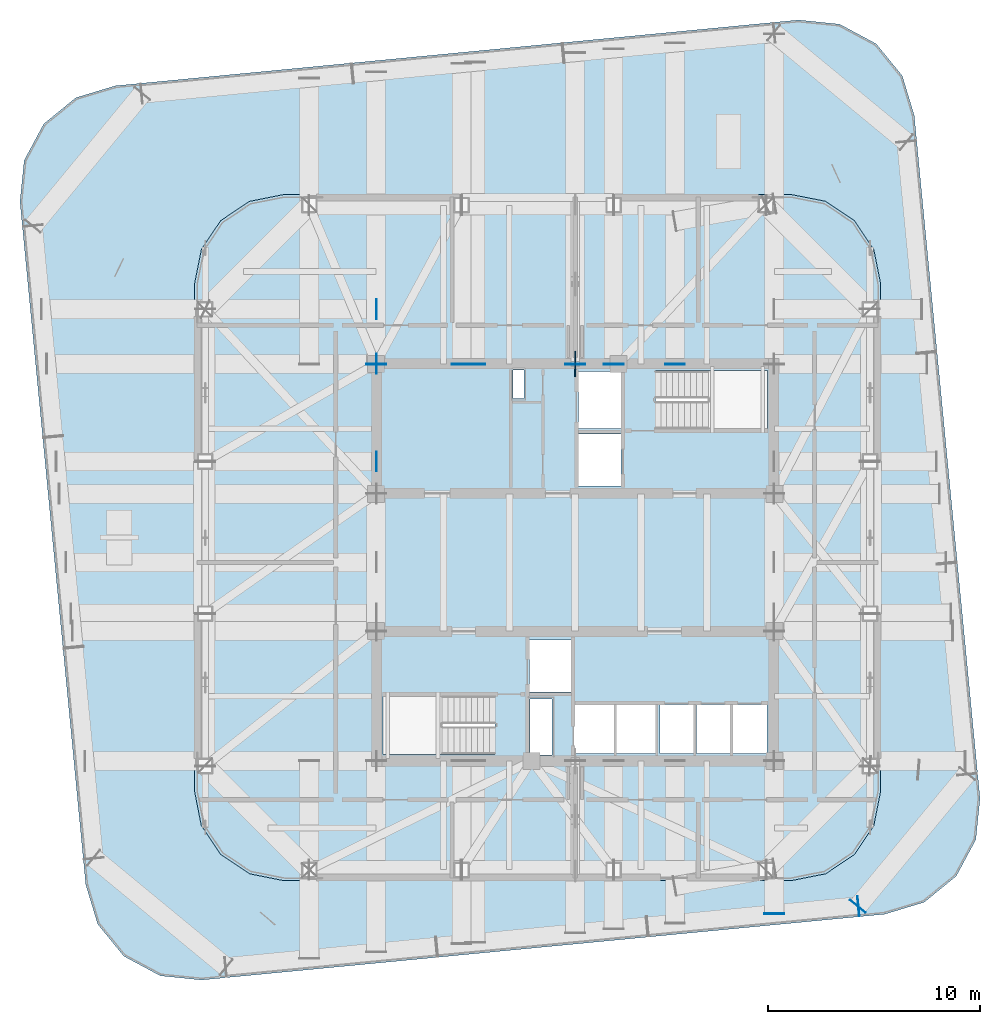
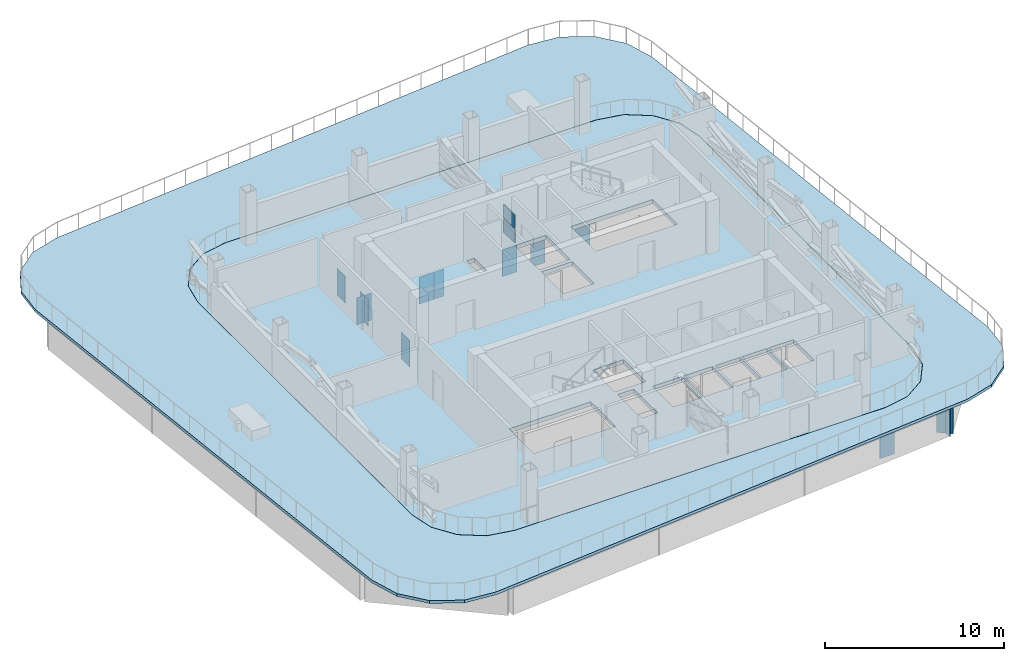
# One storey, part 4 of 12: 14 plates, 2 slabs.
"""IFC4 building model written with IfcOpenShell, lengths in metres."""

from ifc_helpers import new_model, si_unit, direction, frame, origin, origin_2d, place, context, subcontext, project, spatial, polyline, rectangle, outline, extrude, material, layer, layer_set, type_object, element, save


model = new_model("IFC4")

# Units and contexts
model_context = context("Model", 3, precision=1e-05, world=origin(), true_north=direction((0.0, 1.0)))
body_context = subcontext(model_context, "Body", "Model", "MODEL_VIEW")
ifc_project = project(units=[si_unit("LENGTHUNIT", "METRE"), si_unit("AREAUNIT", "SQUARE_METRE"), si_unit("VOLUMEUNIT", "CUBIC_METRE"), si_unit("PLANEANGLEUNIT", "RADIAN"), si_unit("MASSUNIT", "GRAM", prefix="KILO")], contexts=[model_context])

# Site, building, storey
site_placement = place(None, origin())
site = spatial("IfcSite", under=ifc_project, at=site_placement, CompositionType="ELEMENT")
building_placement = place(site_placement, origin())
building = spatial("IfcBuilding", under=site, at=building_placement, Name="Qhalaya Broadcast Tower", CompositionType="ELEMENT")
storey_placement = place(building_placement, frame((0.0, 0.0, 187.949951171875)))
storey = spatial("IfcBuildingStorey", under=building, at=storey_placement, Name="L55", CompositionType="ELEMENT", Elevation=187.949951171875)

# Plates
ifc_material_1 = material(Name="Structural Steel ASTM A572 Grade 50", Category="steel")
ifc_layer_1 = layer(ifc_material_1, 0.4599609375, Name="Structural Steel ASTM A572 Grade 50")
ifc_layer_set_1 = layer_set([ifc_layer_1], Name="Structural Steel ASTM A572 Grade 50")
plate_type_1 = type_object("IfcPlateType", Name="Hollow Box Member End Cap Plate CP-01", PredefinedType="USERDEFINED", material=ifc_layer_set_1)
for number, where, z_axis, x_axis, name in (
    (1, (13.336181640625, -15.58056640625, -2.10009765625), (0.0, 0.0, 1.0), (-0.09584575252, 0.995396198367, 0.0), "L55 Hollow Girder End Cap L55-TGL-03-B"),
    (2, (13.310302734375, -15.59423828125, -2.10009765625), (0.0, 0.0, 1.0), (-0.771624583388, 0.636078220278, 0.0), "L55 Hollow Girder End Cap L55-TGL-04-A"),
    (3, (-9.375, 9.93408203125, -2.10009765625), (0.0, 0.0, 1.0), (-1.0, 0.0, 0.0), "L55 Hollow Girder End Cap L55-TGINW-1-A"),
    (4, (0.0, 9.93408203125, -2.10009765625), (0.0, 0.0, 1.0), (-1.0, 0.0, 0.0), "L55 Hollow Girder End Cap L55-TGIMN-1-A"),
    (5, (-4.699951171875, 9.93408203125, -2.10009765625), (0.0, 0.0, 1.0), (-1.0, 0.0, 0.0), "L55 Hollow Girder End Cap L55-TGIMNW-1-A"),
    (6, (4.699951171875, 9.93408203125, -2.10009765625), (0.0, 0.0, 1.0), (-1.0, 0.0, 0.0), "L55 Hollow Girder End Cap L55-TGIMNE-1-A"),
    (7, (9.375, -15.937744140625, -2.10009765625), (0.0, 0.0, 1.0), (-1.0, 0.0, 0.0), "L55 Hollow Girder End Cap L55-TGISE-1-A"),
    (8, (-9.35888671875, 9.949951171875, -2.10009765625), (0.0, 0.0, 1.0), (0.0, 1.0, 0.0), "L55 Hollow Girder End Cap L55-TGIY4W-1-B"),
    (9, (1.813232421875, 9.93408203125, -2.10009765625), (0.0, 0.0, 1.0), (-1.0, 0.0, 0.0), "L55 Hollow Girder End Cap L55-TGC-10-A"),
    (10, (-5.353271484375, 9.93408203125, -2.10009765625), (0.0, 0.0, 1.0), (-1.0, 0.0, 0.0), "L55 Hollow Girder End Cap L55-TGC-11-A"),
    (11, (-9.35888671875, 12.52001953125, -2.10009765625), (0.0, 0.0, 1.0), (0.0, 1.0, 0.0), "L55 Hollow Girder End Cap L55-TGC-13-B"),
    (12, (-9.35888671875, 5.353271484375, -2.10009765625), (0.0, 0.0, 1.0), (0.0, 1.0, 0.0), "L55 Hollow Girder End Cap L55-TGC-14-B"),
):
    element("IfcPlate", number, at=place(storey_placement, frame(where, z_axis=z_axis, x_axis=x_axis)), inside=storey, type_object=plate_type_1, Name=name, ObjectType="COVER_PLATE", PredefinedType="USERDEFINED", context=body_context, shape_type="SweptSolid", body=[
        extrude(rectangle(XDim=0.93994140625, YDim=0.031982421875, at=origin_2d()), origin(), (0.0, 0.0, 1.0), 1.840087890625),
    ])
ifc_layer_2 = layer(ifc_material_1, 0.06005859375, Name="Structural Steel ASTM A572 Grade 50")
ifc_layer_set_2 = layer_set([ifc_layer_2], Name="Structural Steel ASTM A572 Grade 50")
plate_type_2 = type_object("IfcPlateType", Name="Outrigger Core Embed Gusset Plate NP-02", PredefinedType="USERDEFINED", material=ifc_layer_set_2)
for number, where, z_axis, x_axis, name in (
    (13, (0.0, 9.949951171875, 0.400146484375), (0.0, 0.0, 1.0), (0.0, 1.0, 0.0), "L55 Outrigger Gusset Node NC-C0"),
    (14, (0.0, 9.949951171875, 1.39013671875), (0.0, 0.0, 1.0), (0.0, 1.0, 0.0), "L55 Outrigger Gusset Node NC-C1"),
):
    element("IfcPlate", number, at=place(storey_placement, frame(where, z_axis=z_axis, x_axis=x_axis)), inside=storey, type_object=plate_type_2, Name=name, ObjectType="GUSSET_PLATE", PredefinedType="USERDEFINED", context=body_context, shape_type="SweptSolid", body=[
        extrude(rectangle(XDim=1.199951171875, YDim=0.06005859375, at=origin_2d()), origin(), (0.0, 0.0, 1.0), 0.89990234375),
    ])

# Slabs
ifc_material_2 = material(Name="Concrete C40/50", Category="concrete")
ifc_layer_3 = layer(ifc_material_2, 0.280029296875, Name="Concrete C40/50")
ifc_layer_set_3 = layer_set([ifc_layer_3], Name="Concrete C40/50")
slab_type_1 = type_object("IfcSlabType", Name="Plant & Refuge Heavy Duty Floor Slab 280", PredefinedType="FLOOR", material=ifc_layer_set_3)
slab_1_placement = place(storey_placement, frame((0.0, 0.0, -0.280029296875)))
element("IfcSlab", 15, at=slab_1_placement, inside=storey, type_object=slab_type_1, Name="L55 Main Structural Floor Slab", PredefinedType="FLOOR", context=body_context, shape_type="SweptSolid", body=[
    extrude(outline(polyline([(10.179931640625, -14.3798828125), (11.787353515625, -14.060302734375), (13.14990234375, -13.14990234375), (14.060302734375, -11.787353515625), (14.3798828125, -10.179931640625), (14.3798828125, 13.719970703125), (14.060302734375, 15.327392578125), (13.14990234375, 16.689697265625), (11.787353515625, 17.600341796875), (10.179931640625, 17.919921875), (-13.719970703125, 17.919921875), (-15.327392578125, 17.600341796875), (-16.689697265625, 16.689697265625), (-17.600341796875, 15.327392578125), (-17.919921875, 13.719970703125), (-17.919921875, -10.179931640625), (-17.600341796875, -11.787353515625), (-16.689697265625, -13.14990234375), (-15.327392578125, -14.060302734375), (-13.719970703125, -14.3798828125), (10.179931640625, -14.3798828125)]), holes=[polyline([(3.784912109375, 9.639892578125), (9.050048828125, 9.639892578125), (9.050048828125, 6.8798828125), (3.784912109375, 6.8798828125), (3.784912109375, 9.639892578125)]), polyline([(-3.784912109375, -8.43994140625), (-9.050048828125, -8.43994140625), (-9.050048828125, -5.679931640625), (-3.784912109375, -5.679931640625), (-3.784912109375, -8.43994140625)]), polyline([(0.14990234375, 6.64990234375), (2.14990234375, 6.64990234375), (2.14990234375, 4.199951171875), (0.14990234375, 4.199951171875), (0.14990234375, 6.64990234375)]), polyline([(0.14990234375, 9.60009765625), (2.14990234375, 9.60009765625), (2.14990234375, 6.89990234375), (0.14990234375, 6.89990234375), (0.14990234375, 9.60009765625)]), polyline([(-2.14990234375, -3.050048828125), (-0.14990234375, -3.050048828125), (-0.14990234375, -5.5), (-2.14990234375, -5.5), (-2.14990234375, -3.050048828125)]), polyline([(-0.050048828125, -6.10009765625), (1.830078125, -6.10009765625), (1.830078125, -8.39990234375), (-0.050048828125, -8.39990234375), (-0.050048828125, -6.10009765625)]), polyline([(1.949951171875, -6.10009765625), (3.830078125, -6.10009765625), (3.830078125, -8.39990234375), (1.949951171875, -8.39990234375), (1.949951171875, -6.10009765625)]), polyline([(4.0, -6.10009765625), (5.60009765625, -6.10009765625), (5.60009765625, -8.39990234375), (4.0, -8.39990234375), (4.0, -6.10009765625)]), polyline([(5.719970703125, -6.10009765625), (7.320068359375, -6.10009765625), (7.320068359375, -8.39990234375), (5.719970703125, -8.39990234375), (5.719970703125, -6.10009765625)]), polyline([(7.43994140625, -6.10009765625), (9.0400390625, -6.10009765625), (9.0400390625, -8.39990234375), (7.43994140625, -8.39990234375), (7.43994140625, -6.10009765625)]), polyline([(-2.919921875, 9.659912109375), (-2.419921875, 9.659912109375), (-2.419921875, 8.320068359375), (-2.919921875, 8.320068359375), (-2.919921875, 9.659912109375)]), polyline([(-2.1201171875, -5.820068359375), (-1.080078125, -5.820068359375), (-1.080078125, -8.4599609375), (-2.1201171875, -8.4599609375), (-2.1201171875, -5.820068359375)])]), origin(), (0.0, 0.0, 1.0), 0.280029296875),
])
ifc_layer_4 = layer(ifc_material_2, 0.25, Name="Concrete C40/50")
ifc_layer_set_4 = layer_set([ifc_layer_4], Name="Concrete C40/50")
slab_type_2 = type_object("IfcSlabType", Name="Planted Sky-Garden & Sky-Pool External Terrace Slab 250", PredefinedType="FLOOR", material=ifc_layer_set_4)
slab_2_placement = place(storey_placement, frame((0.0, 0.0, -0.18994140625)))
element("IfcSlab", 16, at=slab_2_placement, inside=storey, type_object=slab_type_2, Name="L55 Planted Sky Garden Terrace 1", PredefinedType="FLOOR", context=body_context, shape_type="SweptSolid", body=[
    extrude(outline(polyline([(14.562744140625, -15.964599609375), (16.430908203125, -15.402587890625), (17.941650390625, -14.168212890625), (18.864990234375, -12.44970703125), (19.060546875, -10.508544921875), (15.964599609375, 21.642822265625), (15.402587890625, 23.510986328125), (14.168212890625, 25.021728515625), (12.44970703125, 25.945068359375), (10.508544921875, 26.140380859375), (-21.642822265625, 23.044677734375), (-23.510986328125, 22.482421875), (-25.021728515625, 21.248046875), (-25.945068359375, 19.529541015625), (-26.140380859375, 17.58837890625), (-23.044677734375, -14.562744140625), (-22.482421875, -16.430908203125), (-21.248046875, -17.941650390625), (-19.529541015625, -18.864990234375), (-17.58837890625, -19.060546875), (14.562744140625, -15.964599609375)]), holes=[polyline([(10.179931640625, -14.384033203125), (-13.719970703125, -14.384033203125), (-13.720458984375, -14.384033203125), (-13.720703125, -14.3837890625), (-15.328125, -14.064208984375), (-15.32861328125, -14.064208984375), (-15.328857421875, -14.06396484375), (-15.3291015625, -14.063720703125), (-15.32958984375, -14.063720703125), (-16.69189453125, -13.153076171875), (-16.6923828125, -13.15283203125), (-16.692626953125, -13.152587890625), (-16.69287109375, -13.15234375), (-16.693115234375, -13.152099609375), (-17.603515625, -11.78955078125), (-17.603759765625, -11.789306640625), (-17.60400390625, -11.788818359375), (-17.60400390625, -11.78857421875), (-17.604248046875, -11.7880859375), (-17.923828125, -10.180908203125), (-17.924072265625, -10.180419921875), (-17.924072265625, -10.179931640625), (-17.924072265625, 13.719970703125), (-17.924072265625, 13.720458984375), (-17.923828125, 13.720703125), (-17.604248046875, 15.328125), (-17.60400390625, 15.32861328125), (-17.60400390625, 15.328857421875), (-17.603759765625, 15.3291015625), (-17.603515625, 15.32958984375), (-16.693115234375, 16.69189453125), (-16.69287109375, 16.6923828125), (-16.692626953125, 16.692626953125), (-16.6923828125, 16.69287109375), (-16.69189453125, 16.693115234375), (-15.32958984375, 17.603515625), (-15.3291015625, 17.603759765625), (-15.328857421875, 17.60400390625), (-15.32861328125, 17.60400390625), (-15.328125, 17.604248046875), (-13.720703125, 17.923828125), (-13.720458984375, 17.924072265625), (-13.719970703125, 17.924072265625), (10.179931640625, 17.924072265625), (10.180419921875, 17.924072265625), (10.180908203125, 17.923828125), (11.7880859375, 17.604248046875), (11.78857421875, 17.60400390625), (11.788818359375, 17.60400390625), (11.789306640625, 17.603759765625), (11.78955078125, 17.603515625), (13.152099609375, 16.693115234375), (13.15234375, 16.69287109375), (13.152587890625, 16.692626953125), (13.15283203125, 16.6923828125), (13.153076171875, 16.69189453125), (14.063720703125, 15.32958984375), (14.063720703125, 15.3291015625), (14.06396484375, 15.328857421875), (14.064208984375, 15.32861328125), (14.064208984375, 15.328125), (14.3837890625, 13.720703125), (14.384033203125, 13.720458984375), (14.384033203125, 13.719970703125), (14.384033203125, -10.179931640625), (14.384033203125, -10.180419921875), (14.3837890625, -10.180908203125), (14.064208984375, -11.7880859375), (14.064208984375, -11.78857421875), (14.06396484375, -11.788818359375), (14.063720703125, -11.789306640625), (14.063720703125, -11.78955078125), (13.153076171875, -13.152099609375), (13.15283203125, -13.15234375), (13.152587890625, -13.152587890625), (13.15234375, -13.15283203125), (13.152099609375, -13.153076171875), (11.78955078125, -14.063720703125), (11.789306640625, -14.063720703125), (11.788818359375, -14.06396484375), (11.78857421875, -14.064208984375), (11.7880859375, -14.064208984375), (10.180908203125, -14.3837890625), (10.180419921875, -14.384033203125), (10.179931640625, -14.384033203125)])]), origin(), (0.0, 0.0, 1.0), 0.18994140625),
])

save(model, "model.ifc")
